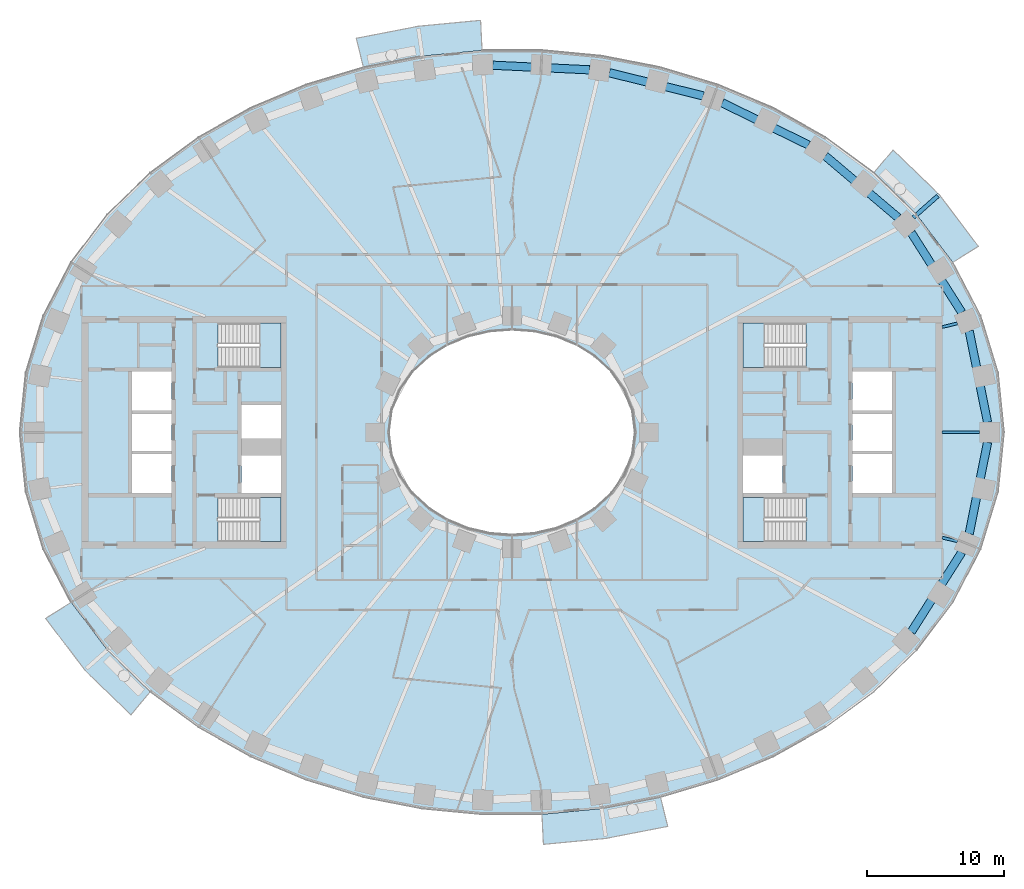
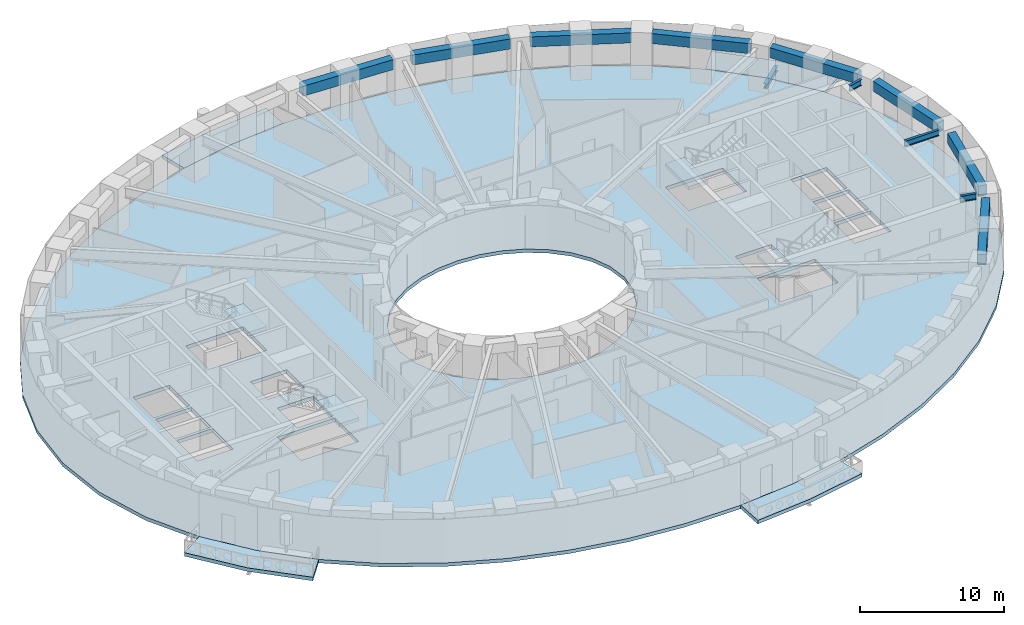
# One storey, part 2 of 16: 12 beams, 9 slabs, 4 elements without a shape of their own.
"""IFC4 building model written with IfcOpenShell, lengths in metres."""

from ifc_helpers import new_model, si_unit, direction, frame, origin, origin_2d, place, context, subcontext, project, spatial, polyline, rectangle, i_section, outline, extrude, material, layer, layer_set, material_profile, profile_set, type_object, element, aggregate, save


model = new_model("IFC4")

# Units and contexts
model_context = context("Model", 3, precision=1e-05, world=origin(), true_north=direction((0.0, 1.0)))
body_context = subcontext(model_context, "Body", "Model", "MODEL_VIEW")
ifc_project = project(units=[si_unit("LENGTHUNIT", "METRE"), si_unit("AREAUNIT", "SQUARE_METRE"), si_unit("VOLUMEUNIT", "CUBIC_METRE"), si_unit("PLANEANGLEUNIT", "RADIAN"), si_unit("MASSUNIT", "GRAM", prefix="KILO")], contexts=[model_context])

# Site, building, storey
site_placement = place(None, origin())
site = spatial("IfcSite", under=ifc_project, at=site_placement, CompositionType="ELEMENT")
building_placement = place(site_placement, origin())
building = spatial("IfcBuilding", under=site, at=building_placement, Name="Noorbagh Ring Tower", CompositionType="ELEMENT")
storey_placement = place(building_placement, frame((0.0, 0.0, 42.5)))
storey = spatial("IfcBuildingStorey", under=building, at=storey_placement, Name="L08", CompositionType="ELEMENT", Elevation=42.5)

# Beams
ifc_material_1 = material(Name="Steel S355", Category="steel")
ifc_material_profile_1 = material_profile(ifc_material_1, i_section(OverallWidth=0.300048828125, OverallDepth=0.39990234375, WebThickness=0.013427734375, FlangeThickness=0.02392578125, FilletRadius=0.027099609375, at=origin_2d()), Name="HEB400")
ifc_profile_set_1 = profile_set([ifc_material_profile_1], Name="Steel S355")
beam_type_1 = type_object("IfcBeamType", Name="STR-BALCONY-BRACKET-HEB400", PredefinedType="BEAM", material=ifc_profile_set_1)
beam_1_placement = place(storey_placement, frame((29.36572265625, 15.714111328125, -0.5), z_axis=(0.749031813993, 0.662534030542, 0.0), x_axis=(-0.662534030542, 0.749031813993, 0.0)))
element("IfcBeam", 1, at=beam_1_placement, inside=storey, type_object=beam_type_1, Name="Balcony bracket beam BN01", PredefinedType="BEAM", context=body_context, shape_type="SweptSolid", body=[
    extrude(i_section(OverallWidth=0.300048828125, OverallDepth=0.39990234375, WebThickness=0.013427734375, FlangeThickness=0.02392578125, FilletRadius=0.027099609375, at=origin_2d()), origin(), (0.0, 0.0, 1.0), 2.37939453125),
])
ifc_material_2 = material(Name="Steel S355", Category="steel")
ifc_material_profile_2 = material_profile(ifc_material_2, i_section(OverallWidth=0.199951171875, OverallDepth=0.5, WebThickness=0.01025390625, FlangeThickness=0.01611328125, FilletRadius=0.02099609375, at=origin_2d()), Name="IPE500")
ifc_profile_set_2 = profile_set([ifc_material_profile_2], Name="Steel S355")
beam_type_2 = type_object("IfcBeamType", Name="STR-RAD-IPE500", PredefinedType="BEAM", material=ifc_profile_set_2)
beam_2_placement = place(storey_placement, frame((34.214599609375, 0.0, 3.449951171875), z_axis=(-1.0, 0.0, 0.0), x_axis=(0.0, -1.0, 0.0)))
element("IfcBeam", 2, at=beam_2_placement, inside=storey, type_object=beam_type_2, Name="L08/bm/RD01", PredefinedType="BEAM", context=body_context, shape_type="SweptSolid", body=[
    extrude(i_section(OverallWidth=0.199951171875, OverallDepth=0.5, WebThickness=0.01025390625, FlangeThickness=0.01611328125, FilletRadius=0.02099609375, at=origin_2d()), origin(), (0.0, 0.0, 1.0), 2.734619140625),
])
for number, where, z_axis, x_axis, name in (
    (3, (32.587890625, 7.973876953125, 3.449951171875), (-0.971339703518, -0.237695562369, 0.0), (0.237695562369, -0.971339703518, 0.0), "L08/bm/RD03"),
    (4, (32.587890625, -7.973876953125, 3.449951171875), (-0.971339703518, 0.237695562369, 0.0), (-0.237695562369, -0.971339703518, 0.0), "L08/bm/RD45"),
):
    element("IfcBeam", number, at=place(storey_placement, frame(where, z_axis=z_axis, x_axis=x_axis)), inside=storey, type_object=beam_type_2, Name=name, PredefinedType="BEAM", context=body_context, shape_type="SweptSolid", body=[
        extrude(i_section(OverallWidth=0.199951171875, OverallDepth=0.5, WebThickness=0.01025390625, FlangeThickness=0.01611328125, FilletRadius=0.02099609375, at=origin_2d()), origin(), (0.0, 0.0, 1.0), 1.14013671875),
    ])
ifc_material_3 = material(Name="Concrete C40/50", Category="concrete")
ifc_material_profile_3 = material_profile(ifc_material_3, rectangle(XDim=0.60009765625, YDim=0.85009765625, at=origin_2d()), Name="RC600x850")
ifc_profile_set_3 = profile_set([ifc_material_profile_3], Name="Concrete C40/50")
beam_type_3 = type_object("IfcBeamType", Name="STR-SB-RC600x850-C40-50", PredefinedType="BEAM", material=ifc_profile_set_3)
beam_3_placement = place(storey_placement, frame((34.7978515625, 0.73046875, 3.27490234375), z_axis=(-0.197244389947, 0.980354349526, 0.0), x_axis=(-0.980354349526, -0.197244389947, 0.0)))
element("IfcBeam", 5, at=beam_3_placement, inside=storey, type_object=beam_type_3, Name="L08/bm/SP01", PredefinedType="BEAM", context=body_context, shape_type="SweptSolid", body=[
    extrude(rectangle(XDim=0.60009765625, YDim=0.85009765625, at=origin_2d()), origin(), (0.0, 0.0, 1.0), 6.82373046875),
])
beam_4_placement = place(storey_placement, frame((32.908203125, 8.77587890625, 3.27490234375), z_axis=(-0.535194304559, 0.844728983975, 0.0), x_axis=(-0.844728983975, -0.535194304559, 0.0)))
element("IfcBeam", 6, at=beam_4_placement, inside=storey, type_object=beam_type_3, Name="L08/bm/SP03", PredefinedType="BEAM", context=body_context, shape_type="SweptSolid", body=[
    extrude(rectangle(XDim=0.60009765625, YDim=0.85009765625, at=origin_2d()), origin(), (0.0, 0.0, 1.0), 6.9013671875),
])
beam_5_placement = place(storey_placement, frame((28.255859375, 15.707275390625, 3.27490234375), z_axis=(-0.763024386832, 0.646369696922, 0.0), x_axis=(-0.646369696922, -0.763024386832, 0.0)))
element("IfcBeam", 7, at=beam_5_placement, inside=storey, type_object=beam_type_3, Name="L08/bm/SP05", PredefinedType="BEAM", context=body_context, shape_type="SweptSolid", body=[
    extrude(rectangle(XDim=0.60009765625, YDim=0.85009765625, at=origin_2d()), origin(), (0.0, 0.0, 1.0), 6.988037109375),
])
beam_6_placement = place(storey_placement, frame((21.701416015625, 21.02294921875, 3.27490234375), z_axis=(-0.898409265653, 0.439159186843, 0.0), x_axis=(-0.439159186843, -0.898409265653, 0.0)))
element("IfcBeam", 8, at=beam_6_placement, inside=storey, type_object=beam_type_3, Name="L08/bm/SP07", PredefinedType="BEAM", context=body_context, shape_type="SweptSolid", body=[
    extrude(rectangle(XDim=0.60009765625, YDim=0.85009765625, at=origin_2d()), origin(), (0.0, 0.0, 1.0), 7.048095703125),
])
beam_7_placement = place(storey_placement, frame((13.996826171875, 24.616943359375, 3.27490234375), z_axis=(-0.970830070282, 0.23976858559, 0.0), x_axis=(-0.23976858559, -0.970830070282, 0.0)))
element("IfcBeam", 9, at=beam_7_placement, inside=storey, type_object=beam_type_3, Name="L08/bm/SP09", PredefinedType="BEAM", context=body_context, shape_type="SweptSolid", body=[
    extrude(rectangle(XDim=0.60009765625, YDim=0.85009765625, at=origin_2d()), origin(), (0.0, 0.0, 1.0), 7.081787109375),
])
beam_8_placement = place(storey_placement, frame((5.676513671875, 26.525634765625, 3.27490234375), z_axis=(-0.998868682603, 0.047553705583, 0.0), x_axis=(-0.047553705583, -0.998868682603, 0.0)))
element("IfcBeam", 10, at=beam_8_placement, inside=storey, type_object=beam_type_3, Name="L08/bm/SP11", PredefinedType="BEAM", context=body_context, shape_type="SweptSolid", body=[
    extrude(rectangle(XDim=0.60009765625, YDim=0.85009765625, at=origin_2d()), origin(), (0.0, 0.0, 1.0), 7.09521484375),
])
beam_9_placement = place(storey_placement, frame((29.214599609375, -14.605712890625, 3.27490234375), z_axis=(0.535194304559, 0.844728983975, 0.0), x_axis=(-0.844728983975, 0.535194304559, 0.0)))
element("IfcBeam", 11, at=beam_9_placement, inside=storey, type_object=beam_type_3, Name="L08/bm/SP43", PredefinedType="BEAM", context=body_context, shape_type="SweptSolid", body=[
    extrude(rectangle(XDim=0.60009765625, YDim=0.85009765625, at=origin_2d()), origin(), (0.0, 0.0, 1.0), 6.9013671875),
])
beam_10_placement = place(storey_placement, frame((33.451904296875, -7.420166015625, 3.27490234375), z_axis=(0.197244389947, 0.980354349526, 0.0), x_axis=(-0.980354349526, 0.197244389947, 0.0)))
element("IfcBeam", 12, at=beam_10_placement, inside=storey, type_object=beam_type_3, Name="L08/bm/SP45", PredefinedType="BEAM", context=body_context, shape_type="SweptSolid", body=[
    extrude(rectangle(XDim=0.60009765625, YDim=0.85009765625, at=origin_2d()), origin(), (0.0, 0.0, 1.0), 6.82373046875),
])

# Stair, slab
ifc_material_4 = material(Name="Concrete C40/50", Category="concrete")
stair_type = type_object("IfcStairType", Name="CORE-STAIR", PredefinedType="HALF_TURN_STAIR", material=ifc_material_4)
stair_1_placement = place(storey_placement, origin())
stair_1 = element("IfcStair", 13, at=stair_1_placement, inside=storey, type_object=stair_type, Name="L08 Exit stair ST1", PredefinedType="HALF_TURN_STAIR")
ifc_material_5 = material(Name="Concrete C40/50", Category="concrete")
ifc_layer_1 = layer(ifc_material_5, 0.300048828125)
ifc_layer_set_1 = layer_set([ifc_layer_1], Name="Concrete C40/50")
slab_type_1 = type_object("IfcSlabType", Name="CORE-STAIR-LANDING", PredefinedType="LANDING", material=ifc_layer_set_1)
slab_1_placement = place(storey_placement, frame((0.0, 0.0, 1.699951171875)))
slab_1 = element("IfcSlab", 14, at=slab_1_placement, type_object=slab_type_1, Name="ST1 landing 1", PredefinedType="LANDING", context=body_context, shape_type="SweptSolid", body=[
    extrude(outline(polyline([(-18.449951171875, 4.75), (-16.89990234375, 4.75), (-16.89990234375, 8.0), (-18.449951171875, 8.0), (-18.449951171875, 4.75)])), origin(), (0.0, 0.0, 1.0), 0.300048828125),
])
aggregate(stair_1, [slab_1])

stair_2_placement = place(storey_placement, origin())
stair_2 = element("IfcStair", 15, at=stair_2_placement, inside=storey, type_object=stair_type, Name="L08 Exit stair ST2", PredefinedType="HALF_TURN_STAIR")
slab_2_placement = place(storey_placement, frame((0.0, 0.0, 1.699951171875)))
slab_2 = element("IfcSlab", 16, at=slab_2_placement, type_object=slab_type_1, Name="ST2 landing 1", PredefinedType="LANDING", context=body_context, shape_type="SweptSolid", body=[
    extrude(outline(polyline([(-18.449951171875, -8.0), (-16.89990234375, -8.0), (-16.89990234375, -4.75), (-18.449951171875, -4.75), (-18.449951171875, -8.0)])), origin(), (0.0, 0.0, 1.0), 0.300048828125),
])
aggregate(stair_2, [slab_2])

stair_3_placement = place(storey_placement, origin())
stair_3 = element("IfcStair", 17, at=stair_3_placement, inside=storey, type_object=stair_type, Name="L08 Exit stair ST3", PredefinedType="HALF_TURN_STAIR")
slab_3_placement = place(storey_placement, frame((0.0, 0.0, 1.699951171875)))
slab_3 = element("IfcSlab", 18, at=slab_3_placement, type_object=slab_type_1, Name="ST3 landing 1", PredefinedType="LANDING", context=body_context, shape_type="SweptSolid", body=[
    extrude(outline(polyline([(18.449951171875, 8.0), (16.89990234375, 8.0), (16.89990234375, 4.75), (18.449951171875, 4.75), (18.449951171875, 8.0)])), origin(), (0.0, 0.0, 1.0), 0.300048828125),
])
aggregate(stair_3, [slab_3])

stair_4_placement = place(storey_placement, origin())
stair_4 = element("IfcStair", 19, at=stair_4_placement, inside=storey, type_object=stair_type, Name="L08 Exit stair ST4", PredefinedType="HALF_TURN_STAIR")
slab_4_placement = place(storey_placement, frame((0.0, 0.0, 1.699951171875)))
slab_4 = element("IfcSlab", 20, at=slab_4_placement, type_object=slab_type_1, Name="ST4 landing 1", PredefinedType="LANDING", context=body_context, shape_type="SweptSolid", body=[
    extrude(outline(polyline([(18.449951171875, -4.75), (16.89990234375, -4.75), (16.89990234375, -8.0), (18.449951171875, -8.0), (18.449951171875, -4.75)])), origin(), (0.0, 0.0, 1.0), 0.300048828125),
])
aggregate(stair_4, [slab_4])

# Slabs
ifc_material_6 = material(Name="Concrete C40/50", Category="concrete")
ifc_layer_2 = layer(ifc_material_6, 0.300048828125)
ifc_layer_set_2 = layer_set([ifc_layer_2], Name="Concrete C40/50")
slab_type_2 = type_object("IfcSlabType", Name="ENV-BALCONY DECK 300", PredefinedType="FLOOR", material=ifc_layer_set_2)
slab_5_placement = place(storey_placement, frame((0.0, 0.0, -0.300048828125)))
element("IfcSlab", 21, at=slab_5_placement, inside=storey, type_object=slab_type_2, Name="Tree balcony deck BN01", PredefinedType="FLOOR", context=body_context, shape_type="SweptSolid", body=[
    extrude(outline(polyline([(34.120361328125, 13.615966796875), (31.26025390625, 17.389892578125), (27.888671875, 20.665771484375), (26.463134765625, 18.983154296875), (29.607666015625, 15.92822265625), (32.255126953125, 12.434814453125), (34.120361328125, 13.615966796875)])), origin(), (0.0, 0.0, 1.0), 0.300048828125),
])
slab_6_placement = place(storey_placement, frame((0.0, 0.0, -0.300048828125)))
element("IfcSlab", 22, at=slab_6_placement, inside=storey, type_object=slab_type_2, Name="Tree balcony deck BN04", PredefinedType="FLOOR", context=body_context, shape_type="SweptSolid", body=[
    extrude(outline(polyline([(-2.2978515625, 30.14794921875), (-6.874755859375, 29.711181640625), (-11.3935546875, 28.832763671875), (-10.865234375, 26.6943359375), (-6.5595703125, 27.53125), (-2.193115234375, 27.947998046875), (-2.2978515625, 30.14794921875)])), origin(), (0.0, 0.0, 1.0), 0.300048828125),
])
slab_7_placement = place(storey_placement, frame((0.0, 0.0, -0.300048828125)))
element("IfcSlab", 23, at=slab_7_placement, inside=storey, type_object=slab_type_2, Name="Tree balcony deck BS01", PredefinedType="FLOOR", context=body_context, shape_type="SweptSolid", body=[
    extrude(outline(polyline([(-34.120361328125, -13.615966796875), (-31.26025390625, -17.389892578125), (-27.888671875, -20.665771484375), (-26.463134765625, -18.983154296875), (-29.607666015625, -15.92822265625), (-32.255126953125, -12.434814453125), (-34.120361328125, -13.615966796875)])), origin(), (0.0, 0.0, 1.0), 0.300048828125),
])
slab_8_placement = place(storey_placement, frame((0.0, 0.0, -0.300048828125)))
element("IfcSlab", 24, at=slab_8_placement, inside=storey, type_object=slab_type_2, Name="Tree balcony deck BS04", PredefinedType="FLOOR", context=body_context, shape_type="SweptSolid", body=[
    extrude(outline(polyline([(2.2978515625, -30.14794921875), (6.874755859375, -29.711181640625), (11.3935546875, -28.832763671875), (10.865234375, -26.6943359375), (6.5595703125, -27.53125), (2.193115234375, -27.947998046875), (2.2978515625, -30.14794921875)])), origin(), (0.0, 0.0, 1.0), 0.300048828125),
])
ifc_material_7 = material(Name="Concrete C40/50", Category="concrete")
ifc_layer_3 = layer(ifc_material_7, 0.300048828125)
ifc_layer_set_3 = layer_set([ifc_layer_3], Name="Concrete C40/50")
slab_type_3 = type_object("IfcSlabType", Name="STR-FLOOR-DECK-300", PredefinedType="FLOOR", material=ifc_layer_set_3)
slab_9_placement = place(storey_placement, frame((0.0, 0.0, -0.300048828125)))
element("IfcSlab", 25, at=slab_9_placement, inside=storey, type_object=slab_type_3, Name="L08/slab/1", PredefinedType="FLOOR", context=body_context, shape_type="SweptSolid", body=[
    extrude(outline(polyline([(36.0, 0.0), (35.56103515625, 4.358642578125), (34.281005859375, 8.548828125), (32.255126953125, 12.434814453125), (29.607666015625, 15.92822265625), (26.463134765625, 18.983154296875), (22.9326171875, 21.583740234375), (19.108154296875, 23.730224609375), (15.0654296875, 25.430419921875), (10.865234375, 26.6943359375), (6.5595703125, 27.53125), (2.193115234375, 27.947998046875), (-2.193115234375, 27.947998046875), (-6.5595703125, 27.53125), (-10.865234375, 26.6943359375), (-15.0654296875, 25.430419921875), (-19.108154296875, 23.730224609375), (-22.9326171875, 21.583740234375), (-26.463134765625, 18.983154296875), (-29.607666015625, 15.92822265625), (-32.255126953125, 12.434814453125), (-34.281005859375, 8.548828125), (-35.56103515625, 4.358642578125), (-36.0, 0.0), (-35.56103515625, -4.358642578125), (-34.281005859375, -8.548828125), (-32.255126953125, -12.434814453125), (-29.607666015625, -15.92822265625), (-26.463134765625, -18.983154296875), (-22.9326171875, -21.583740234375), (-19.108154296875, -23.730224609375), (-15.0654296875, -25.430419921875), (-10.865234375, -26.6943359375), (-6.5595703125, -27.53125), (-2.193115234375, -27.947998046875), (2.193115234375, -27.947998046875), (6.5595703125, -27.53125), (10.865234375, -26.6943359375), (15.0654296875, -25.430419921875), (19.108154296875, -23.730224609375), (22.9326171875, -21.583740234375), (26.463134765625, -18.983154296875), (29.607666015625, -15.92822265625), (32.255126953125, -12.434814453125), (34.281005859375, -8.548828125), (35.56103515625, -4.358642578125), (36.0, 0.0)]), holes=[polyline([(24.89990234375, -1.60009765625), (27.800048828125, -1.60009765625), (27.800048828125, -4.449951171875), (24.89990234375, -4.449951171875), (24.89990234375, -1.60009765625)]), polyline([(24.89990234375, 1.35009765625), (27.800048828125, 1.35009765625), (27.800048828125, -1.35009765625), (24.89990234375, -1.35009765625), (24.89990234375, 1.35009765625)]), polyline([(24.89990234375, 4.449951171875), (27.800048828125, 4.449951171875), (27.800048828125, 1.60009765625), (24.89990234375, 1.60009765625), (24.89990234375, 4.449951171875)]), polyline([(21.529541015625, -4.75), (21.529541015625, -8.0), (16.89990234375, -8.0), (16.89990234375, -4.75), (21.529541015625, -4.75)]), polyline([(21.529541015625, 4.75), (16.89990234375, 4.75), (16.89990234375, 8.0), (21.529541015625, 8.0), (21.529541015625, 4.75)]), polyline([(16.89990234375, -1.699951171875), (19.800048828125, -1.699951171875), (19.800048828125, -4.449951171875), (16.89990234375, -4.449951171875), (16.89990234375, -1.699951171875)]), polyline([(4.697509765625, -6.3974609375), (3.196533203125, -7.010986328125), (1.6171875, -7.3779296875), (0.0, -7.5), (-1.6171875, -7.3779296875), (-3.196533203125, -7.010986328125), (-4.697509765625, -6.3974609375), (-6.071044921875, -5.53662109375), (-7.2587890625, -4.43408203125), (-8.1904296875, -3.10888671875), (-8.79150390625, -1.605224609375), (-9.0, 0.0), (-8.79150390625, 1.605224609375), (-8.1904296875, 3.10888671875), (-7.2587890625, 4.43408203125), (-6.071044921875, 5.53662109375), (-4.697509765625, 6.3974609375), (-3.196533203125, 7.010986328125), (-1.6171875, 7.3779296875), (0.0, 7.5), (1.6171875, 7.3779296875), (3.196533203125, 7.010986328125), (4.697509765625, 6.3974609375), (6.071044921875, 5.53662109375), (7.2587890625, 4.43408203125), (8.1904296875, 3.10888671875), (8.79150390625, 1.605224609375), (9.0, 0.0), (8.79150390625, -1.605224609375), (8.1904296875, -3.10888671875), (7.2587890625, -4.43408203125), (6.071044921875, -5.53662109375), (4.697509765625, -6.3974609375)]), polyline([(-21.529541015625, -8.0), (-21.529541015625, -4.75), (-16.89990234375, -4.75), (-16.89990234375, -8.0), (-21.529541015625, -8.0)]), polyline([(-21.529541015625, 8.0), (-16.89990234375, 8.0), (-16.89990234375, 4.75), (-21.529541015625, 4.75), (-21.529541015625, 8.0)]), polyline([(-16.89990234375, -4.449951171875), (-19.800048828125, -4.449951171875), (-19.800048828125, -1.699951171875), (-16.89990234375, -1.699951171875), (-16.89990234375, -4.449951171875)]), polyline([(-16.89990234375, -0.449951171875), (-19.800048828125, -0.449951171875), (-19.800048828125, 2.0), (-16.89990234375, 2.0), (-16.89990234375, -0.449951171875)]), polyline([(-24.89990234375, -4.449951171875), (-27.800048828125, -4.449951171875), (-27.800048828125, -1.60009765625), (-24.89990234375, -1.60009765625), (-24.89990234375, -4.449951171875)]), polyline([(-24.89990234375, -1.35009765625), (-27.800048828125, -1.35009765625), (-27.800048828125, 1.35009765625), (-24.89990234375, 1.35009765625), (-24.89990234375, -1.35009765625)]), polyline([(-24.89990234375, 1.60009765625), (-27.800048828125, 1.60009765625), (-27.800048828125, 4.449951171875), (-24.89990234375, 4.449951171875), (-24.89990234375, 1.60009765625)])]), origin(), (0.0, 0.0, 1.0), 0.300048828125),
])

save(model, "model.ifc")
